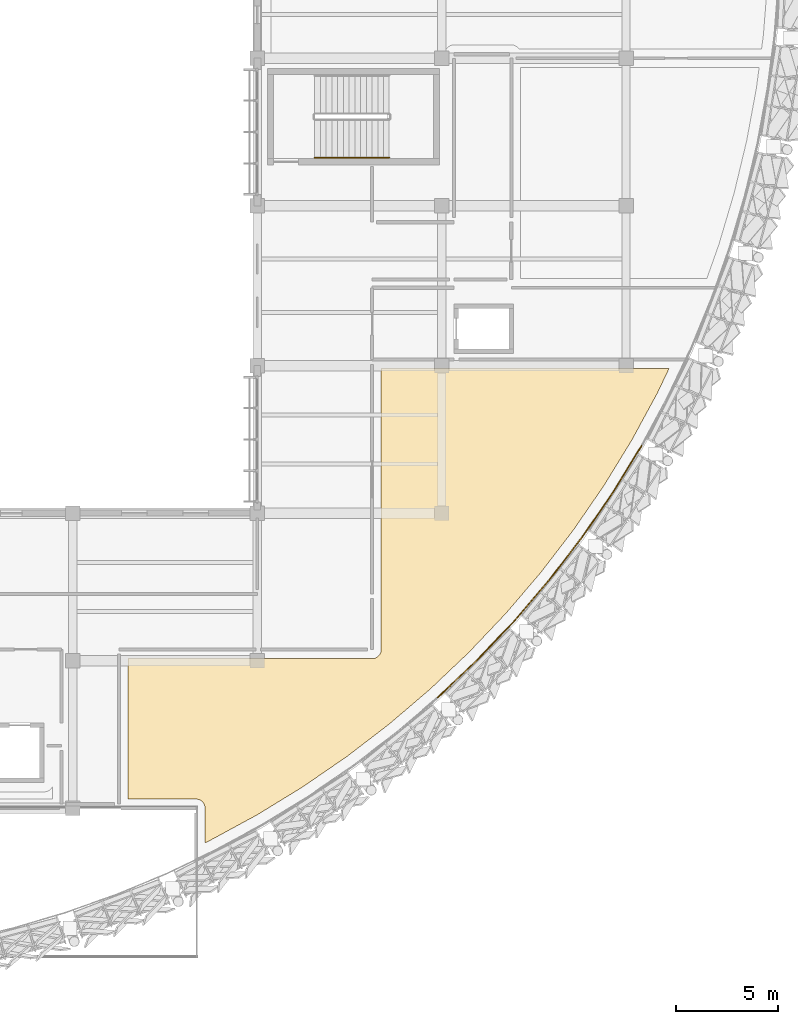
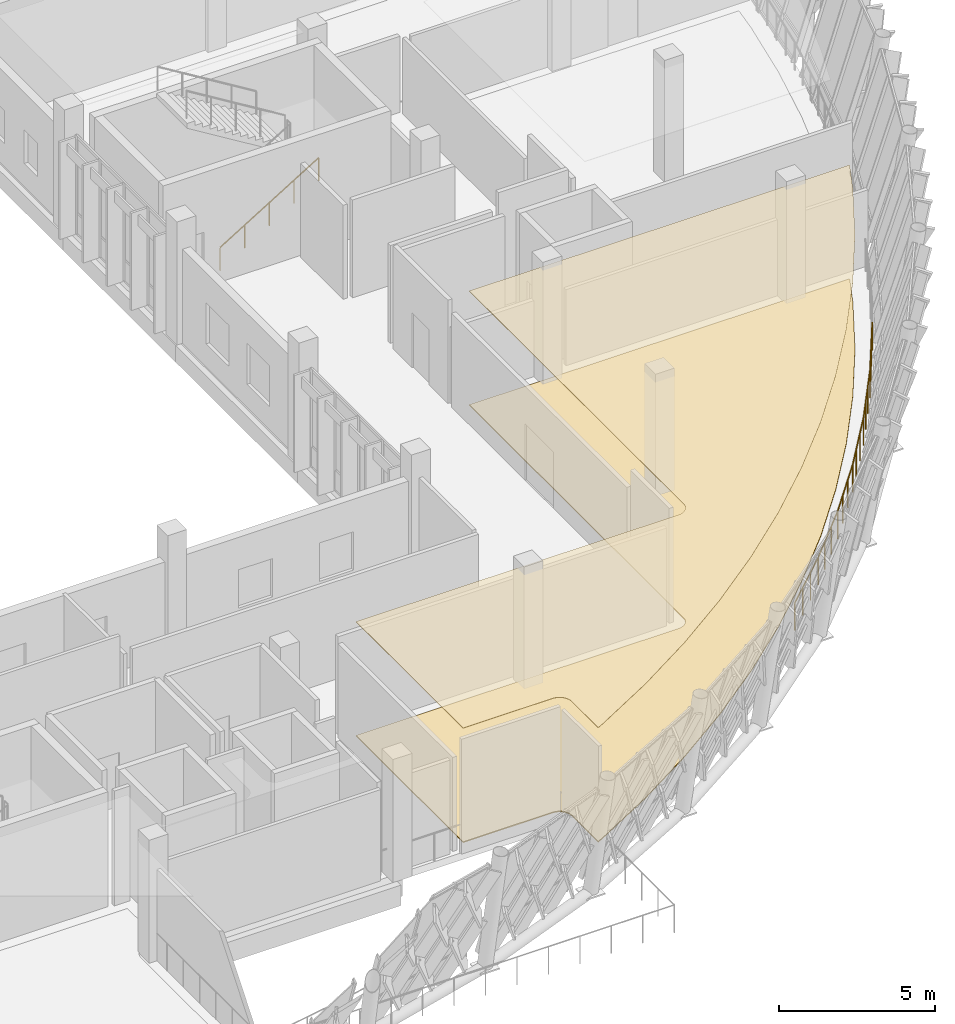
# One storey, part 175 of 177: 7 railings, 2 coverings.
"""IFC4 building model written with IfcOpenShell, lengths in metres."""

from ifc_helpers import new_model, si_unit, direction, frame, origin, origin_2d, place, context, subcontext, project, spatial, polyline, circle, outline, extrude, material, layer, layer_set, type_object, element, save


model = new_model("IFC4")

# Units and contexts
model_context = context("Model", 3, precision=1e-05, world=origin(), true_north=direction((0.0, 1.0)))
body_context = subcontext(model_context, "Body", "Model", "MODEL_VIEW")
ifc_project = project(units=[si_unit("LENGTHUNIT", "METRE"), si_unit("AREAUNIT", "SQUARE_METRE"), si_unit("VOLUMEUNIT", "CUBIC_METRE"), si_unit("PLANEANGLEUNIT", "RADIAN"), si_unit("MASSUNIT", "GRAM", prefix="KILO")], contexts=[model_context])

# Site, building, storey
site_placement = place(None, origin())
site = spatial("IfcSite", under=ifc_project, at=site_placement, CompositionType="ELEMENT")
building_placement = place(site_placement, origin())
building = spatial("IfcBuilding", under=site, at=building_placement, Name="Chiffa Square Polytechnic", CompositionType="ELEMENT")
storey_placement = place(building_placement, frame((0.0, 0.0, 4.800048828125)))
storey = spatial("IfcBuildingStorey", under=building, at=storey_placement, Name="L01", CompositionType="ELEMENT", Elevation=4.800048828125)

# Coverings
ifc_material_1 = material(Name="Perforated gypsum acoustic board")
ifc_layer_1 = layer(ifc_material_1, 0.02490234375, Name="Perforated gypsum acoustic board")
ifc_layer_set_1 = layer_set([ifc_layer_1], Name="Perforated gypsum acoustic board")
covering_type_1 = type_object("IfcCoveringType", Name="COV-CEIL-GYP", PredefinedType="CEILING", material=ifc_layer_set_1)
covering_1_placement = place(storey_placement, frame((0.0, 0.0, 4.45703125)))
element("IfcCovering", 1, at=covering_1_placement, inside=storey, type_object=covering_type_1, Name="Suspended acoustic ceiling CL-V1-L01-025", PredefinedType="CEILING", context=body_context, shape_type="SweptSolid", body=[
    extrude(outline(polyline([(141.89990234375, 14.85009765625), (141.89990234375, 21.699951171875), (153.800048828125, 21.699951171875), (153.843994140625, 21.701904296875), (153.887939453125, 21.708984375), (153.930908203125, 21.718994140625), (153.971923828125, 21.73388671875), (154.011962890625, 21.7529296875), (154.050048828125, 21.77587890625), (154.0849609375, 21.802001953125), (154.117919921875, 21.83203125), (154.14794921875, 21.864990234375), (154.174072265625, 21.89990234375), (154.197021484375, 21.93798828125), (154.216064453125, 21.97802734375), (154.23095703125, 22.01904296875), (154.240966796875, 22.06201171875), (154.248046875, 22.10595703125), (154.25, 22.14990234375), (154.25, 35.85009765625), (168.291015625, 35.85009765625), (167.72509765625, 34.6630859375), (166.47705078125, 32.364013671875), (165.110107421875, 30.134033203125), (163.6279296875, 27.97802734375), (162.034912109375, 25.902099609375), (160.3359375, 23.912109375), (158.534912109375, 22.014892578125), (156.637939453125, 20.214111328125), (154.64794921875, 18.514892578125), (152.572021484375, 16.922119140625), (150.416015625, 15.43994140625), (148.18603515625, 14.072998046875), (145.886962890625, 12.824951171875), (145.64990234375, 12.7119140625), (145.64990234375, 14.39990234375), (145.64794921875, 14.444091796875), (145.64111328125, 14.488037109375), (145.631103515625, 14.531005859375), (145.615966796875, 14.572021484375), (145.596923828125, 14.612060546875), (145.573974609375, 14.64990234375), (145.548095703125, 14.68505859375), (145.51806640625, 14.718017578125), (145.485107421875, 14.748046875), (145.449951171875, 14.77392578125), (145.412109375, 14.797119140625), (145.3720703125, 14.81591796875), (145.3310546875, 14.8310546875), (145.2880859375, 14.841064453125), (145.243896484375, 14.847900390625), (145.199951171875, 14.85009765625), (141.89990234375, 14.85009765625)])), origin(), (0.0, 0.0, 1.0), 0.02490234375),
])
ifc_material_2 = material(Name="Polished cementitious terrazzo")
ifc_layer_2 = layer(ifc_material_2, 0.0400390625, Name="Polished cementitious terrazzo")
ifc_layer_set_2 = layer_set([ifc_layer_2], Name="Polished cementitious terrazzo")
covering_type_2 = type_object("IfcCoveringType", Name="COV-FLR-TERRAZZO", PredefinedType="FLOORING", material=ifc_layer_set_2)
covering_2_placement = place(storey_placement, origin())
element("IfcCovering", 2, at=covering_2_placement, inside=storey, type_object=covering_type_2, Name="Polished terrazzo floor finish FL-V1-L01-024", PredefinedType="FLOORING", context=body_context, shape_type="SweptSolid", body=[
    extrude(outline(polyline([(141.89990234375, 14.85009765625), (141.89990234375, 21.699951171875), (153.800048828125, 21.699951171875), (153.843994140625, 21.701904296875), (153.887939453125, 21.708984375), (153.930908203125, 21.718994140625), (153.971923828125, 21.73388671875), (154.011962890625, 21.7529296875), (154.050048828125, 21.77587890625), (154.0849609375, 21.802001953125), (154.117919921875, 21.83203125), (154.14794921875, 21.864990234375), (154.174072265625, 21.89990234375), (154.197021484375, 21.93798828125), (154.216064453125, 21.97802734375), (154.23095703125, 22.01904296875), (154.240966796875, 22.06201171875), (154.248046875, 22.10595703125), (154.25, 22.14990234375), (154.25, 35.85009765625), (168.291015625, 35.85009765625), (167.72509765625, 34.6630859375), (166.47705078125, 32.364013671875), (165.110107421875, 30.134033203125), (163.6279296875, 27.97802734375), (162.034912109375, 25.902099609375), (160.3359375, 23.912109375), (158.534912109375, 22.014892578125), (156.637939453125, 20.214111328125), (154.64794921875, 18.514892578125), (152.572021484375, 16.922119140625), (150.416015625, 15.43994140625), (148.18603515625, 14.072998046875), (145.886962890625, 12.824951171875), (145.64990234375, 12.7119140625), (145.64990234375, 14.39990234375), (145.64794921875, 14.444091796875), (145.64111328125, 14.488037109375), (145.631103515625, 14.531005859375), (145.615966796875, 14.572021484375), (145.596923828125, 14.612060546875), (145.573974609375, 14.64990234375), (145.548095703125, 14.68505859375), (145.51806640625, 14.718017578125), (145.485107421875, 14.748046875), (145.449951171875, 14.77392578125), (145.412109375, 14.797119140625), (145.3720703125, 14.81591796875), (145.3310546875, 14.8310546875), (145.2880859375, 14.841064453125), (145.243896484375, 14.847900390625), (145.199951171875, 14.85009765625), (141.89990234375, 14.85009765625)])), origin(), (0.0, 0.0, 1.0), 0.0400390625),
])

# Railings
ifc_material_3 = material(Name="Steel S355", Category="steel")
ifc_layer_3 = layer(ifc_material_3, 0.050048828125, Name="Steel S355")
ifc_layer_set_3 = layer_set([ifc_layer_3], Name="Steel S355")
railing_type_1 = type_object("IfcRailingType", Name="RL-STAIR-GUARD", PredefinedType="GUARDRAIL", material=ifc_layer_set_3)
railing_1_placement = place(storey_placement, frame((157.006103515625, 19.804931640625, 0.0)))
element("IfcRailing", 3, at=railing_1_placement, inside=storey, type_object=railing_type_1, Name="Faculty L01 perimeter safety guard GR-V1-L01-PERIM-19", PredefinedType="GUARDRAIL", context=body_context, shape_type="SweptSolid", body=[
    extrude(circle(Radius=0.02392578125, at=origin_2d()), frame((0.0, 0.0, 1.076171875), z_axis=(0.725193002728, 0.688545647575, 0.0), x_axis=(-0.688545647575, 0.725193002728, 0.0)), (0.0, 0.0, 1.0), 2.644775390625),
    extrude(circle(Radius=0.02099609375, at=origin_2d()), origin(), (0.0, 0.0, 1.0), 1.052001953125),
    extrude(circle(Radius=0.02099609375, at=origin_2d()), frame((0.639404296875, 0.60693359375, 0.0)), (0.0, 0.0, 1.0), 1.052001953125),
    extrude(circle(Radius=0.02099609375, at=origin_2d()), frame((1.278564453125, 1.214111328125, 0.0)), (0.0, 0.0, 1.0), 1.052001953125),
    extrude(circle(Radius=0.02099609375, at=origin_2d()), frame((1.91796875, 1.821044921875, 0.0)), (0.0, 0.0, 1.0), 1.052001953125),
])
railing_2_placement = place(storey_placement, frame((158.924072265625, 21.6259765625, 0.0)))
element("IfcRailing", 4, at=railing_2_placement, inside=storey, type_object=railing_type_1, Name="Faculty L01 perimeter safety guard GR-V1-L01-PERIM-20", PredefinedType="GUARDRAIL", context=body_context, shape_type="SweptSolid", body=[
    extrude(circle(Radius=0.02392578125, at=origin_2d()), frame((0.0, 0.0, 1.076171875), z_axis=(0.688545647575, 0.725193002728, 0.0), x_axis=(-0.725193002728, 0.688545647575, 0.0)), (0.0, 0.0, 1.0), 2.644775390625),
    extrude(circle(Radius=0.02099609375, at=origin_2d()), origin(), (0.0, 0.0, 1.0), 1.052001953125),
    extrude(circle(Radius=0.02099609375, at=origin_2d()), frame((0.60693359375, 0.639404296875, 0.0)), (0.0, 0.0, 1.0), 1.052001953125),
    extrude(circle(Radius=0.02099609375, at=origin_2d()), frame((1.214111328125, 1.278564453125, 0.0)), (0.0, 0.0, 1.0), 1.052001953125),
    extrude(circle(Radius=0.02099609375, at=origin_2d()), frame((1.821044921875, 1.91796875, 0.0)), (0.0, 0.0, 1.0), 1.052001953125),
])
railing_3_placement = place(storey_placement, frame((160.7451171875, 23.5439453125, 0.0)))
element("IfcRailing", 5, at=railing_3_placement, inside=storey, type_object=railing_type_1, Name="Faculty L01 perimeter safety guard GR-V1-L01-PERIM-21", PredefinedType="GUARDRAIL", context=body_context, shape_type="SweptSolid", body=[
    extrude(circle(Radius=0.02392578125, at=origin_2d()), frame((0.0, 0.0, 1.076171875), z_axis=(0.649315761236, 0.760518929554, 0.0), x_axis=(-0.760518929554, 0.649315761236, 0.0)), (0.0, 0.0, 1.0), 2.6455078125),
    extrude(circle(Radius=0.02099609375, at=origin_2d()), origin(), (0.0, 0.0, 1.0), 1.052001953125),
    extrude(circle(Radius=0.02099609375, at=origin_2d()), frame((0.572509765625, 0.670654296875, 0.0)), (0.0, 0.0, 1.0), 1.052001953125),
    extrude(circle(Radius=0.02099609375, at=origin_2d()), frame((1.145263671875, 1.34130859375, 0.0)), (0.0, 0.0, 1.0), 1.052001953125),
    extrude(circle(Radius=0.02099609375, at=origin_2d()), frame((1.7177734375, 2.011962890625, 0.0)), (0.0, 0.0, 1.0), 1.052001953125),
])
railing_4_placement = place(storey_placement, frame((162.462890625, 25.555908203125, 0.0)))
element("IfcRailing", 6, at=railing_4_placement, inside=storey, type_object=railing_type_1, Name="Faculty L01 perimeter safety guard GR-V1-L01-PERIM-22", PredefinedType="GUARDRAIL", context=body_context, shape_type="SweptSolid", body=[
    extrude(circle(Radius=0.02392578125, at=origin_2d()), frame((0.0, 0.0, 1.076171875), z_axis=(0.608795816923, 0.793326952333, 0.0), x_axis=(-0.793326952333, 0.608795816923, 0.0)), (0.0, 0.0, 1.0), 2.644775390625),
    extrude(circle(Radius=0.02099609375, at=origin_2d()), origin(), (0.0, 0.0, 1.0), 1.052001953125),
    extrude(circle(Radius=0.02099609375, at=origin_2d()), frame((0.53662109375, 0.699462890625, 0.0)), (0.0, 0.0, 1.0), 1.052001953125),
    extrude(circle(Radius=0.02099609375, at=origin_2d()), frame((1.073486328125, 1.398681640625, 0.0)), (0.0, 0.0, 1.0), 1.052001953125),
    extrude(circle(Radius=0.02099609375, at=origin_2d()), frame((1.610107421875, 2.09814453125, 0.0)), (0.0, 0.0, 1.0), 1.052001953125),
])
railing_5_placement = place(storey_placement, frame((164.072998046875, 27.654052734375, 0.0)))
element("IfcRailing", 7, at=railing_5_placement, inside=storey, type_object=railing_type_1, Name="Faculty L01 perimeter safety guard GR-V1-L01-PERIM-23", PredefinedType="GUARDRAIL", context=body_context, shape_type="SweptSolid", body=[
    extrude(circle(Radius=0.02392578125, at=origin_2d()), frame((0.0, 0.0, 1.076171875), z_axis=(0.566360367421, 0.824157711979, 0.0), x_axis=(-0.824157711979, 0.566360367421, 0.0)), (0.0, 0.0, 1.0), 2.64501953125),
    extrude(circle(Radius=0.02099609375, at=origin_2d()), origin(), (0.0, 0.0, 1.0), 1.052001953125),
    extrude(circle(Radius=0.02099609375, at=origin_2d()), frame((0.499267578125, 0.7265625, 0.0)), (0.0, 0.0, 1.0), 1.052001953125),
    extrude(circle(Radius=0.02099609375, at=origin_2d()), frame((0.998779296875, 1.453369140625, 0.0)), (0.0, 0.0, 1.0), 1.052001953125),
    extrude(circle(Radius=0.02099609375, at=origin_2d()), frame((1.498046875, 2.179931640625, 0.0)), (0.0, 0.0, 1.0), 1.052001953125),
])
railing_6_placement = place(storey_placement, frame((165.571044921875, 29.833984375, 0.0)))
element("IfcRailing", 8, at=railing_6_placement, inside=storey, type_object=railing_type_1, Name="Faculty L01 perimeter safety guard GR-V1-L01-PERIM-24", PredefinedType="GUARDRAIL", context=body_context, shape_type="SweptSolid", body=[
    extrude(circle(Radius=0.02392578125, at=origin_2d()), frame((0.0, 0.0, 1.076171875), z_axis=(0.522468977731, 0.852658294576, 0.0), x_axis=(-0.852658294576, 0.522468977731, 0.0)), (0.0, 0.0, 1.0), 2.644775390625),
    extrude(circle(Radius=0.02099609375, at=origin_2d()), origin(), (0.0, 0.0, 1.0), 1.052001953125),
    extrude(circle(Radius=0.02099609375, at=origin_2d()), frame((0.460693359375, 0.751708984375, 0.0)), (0.0, 0.0, 1.0), 1.052001953125),
    extrude(circle(Radius=0.02099609375, at=origin_2d()), frame((0.921142578125, 1.50341796875, 0.0)), (0.0, 0.0, 1.0), 1.052001953125),
    extrude(circle(Radius=0.02099609375, at=origin_2d()), frame((1.3818359375, 2.255126953125, 0.0)), (0.0, 0.0, 1.0), 1.052001953125),
])
ifc_layer_4 = layer(ifc_material_3, 0.044921875, Name="Steel S355")
ifc_layer_set_4 = layer_set([ifc_layer_4], Name="Steel S355")
railing_type_2 = type_object("IfcRailingType", Name="RL-STAIR-HAND", PredefinedType="HANDRAIL", material=ifc_layer_set_4)
railing_7_placement = place(storey_placement, frame((151.0, 46.14990234375, 0.17138671875)))
element("IfcRailing", 9, at=railing_7_placement, inside=storey, type_object=railing_type_2, Name="L01 ST-V1B stair handrail 1", PredefinedType="HANDRAIL", context=body_context, shape_type="SweptSolid", body=[
    extrude(circle(Radius=0.02392578125, at=origin_2d()), frame((0.0, 0.0, 0.89599609375), z_axis=(0.852850264322, 0.0, 0.5221555579), x_axis=(0.0, 1.0, 0.0)), (0.0, 0.0, 1.0), 4.267822265625),
    extrude(circle(Radius=0.02099609375, at=origin_2d()), origin(), (0.0, 0.0, 1.0), 0.871826171875),
    extrude(circle(Radius=0.02099609375, at=origin_2d()), frame((0.909912109375, 0.0, 0.55712890625)), (0.0, 0.0, 1.0), 0.871826171875),
    extrude(circle(Radius=0.02099609375, at=origin_2d()), frame((1.81982421875, 0.0, 1.1142578125)), (0.0, 0.0, 1.0), 0.871826171875),
    extrude(circle(Radius=0.02099609375, at=origin_2d()), frame((2.72998046875, 0.0, 1.67138671875)), (0.0, 0.0, 1.0), 0.871826171875),
    extrude(circle(Radius=0.02099609375, at=origin_2d()), frame((3.639892578125, 0.0, 2.228515625)), (0.0, 0.0, 1.0), 0.871826171875),
])

save(model, "model.ifc")
